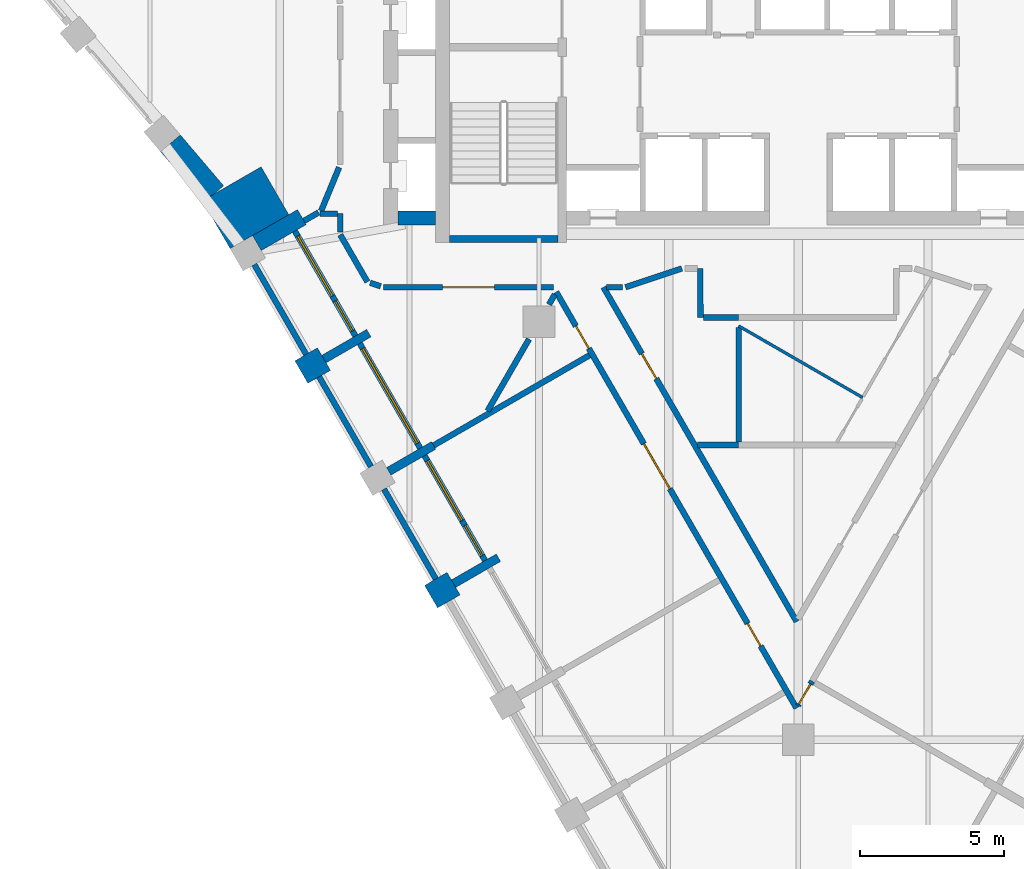
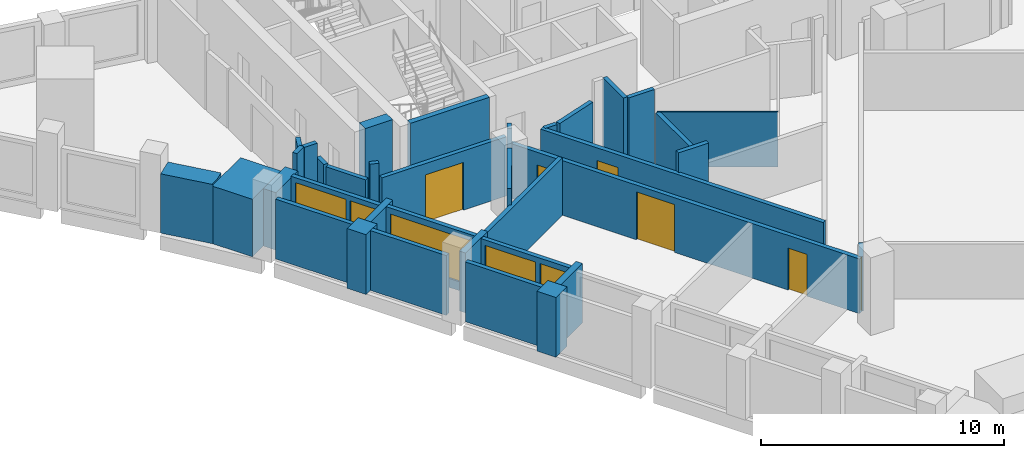
# One storey, part 3 of 9: 36 walls, 8 doors, 3 windows, 11 openings.
"""IFC4 building model written with IfcOpenShell, lengths in metres."""

from ifc_helpers import new_model, si_unit, direction, frame, frame_2d, origin, place, context, subcontext, project, spatial, polyline, rectangle, outline, extrude, material, layer, layer_set, type_object, element, fill, save


model = new_model("IFC4")

# Units and contexts
model_context = context("Model", 3, precision=1e-05, world=origin(), true_north=direction((0.0, 1.0)))
body_context = subcontext(model_context, "Body", "Model", "MODEL_VIEW")
ifc_project = project(units=[si_unit("LENGTHUNIT", "METRE"), si_unit("AREAUNIT", "SQUARE_METRE"), si_unit("VOLUMEUNIT", "CUBIC_METRE"), si_unit("PLANEANGLEUNIT", "RADIAN"), si_unit("MASSUNIT", "GRAM", prefix="KILO")], contexts=[model_context])

# Site, building, storey
site_placement = place(None, origin())
site = spatial("IfcSite", under=ifc_project, at=site_placement, CompositionType="ELEMENT")
building_placement = place(site_placement, origin())
building = spatial("IfcBuilding", under=site, at=building_placement, Name="Calabash Gate Tower", CompositionType="ELEMENT")
storey_placement = place(building_placement, frame((0.0, 0.0, 231.5)))
storey = spatial("IfcBuildingStorey", under=building, at=storey_placement, Name="L55", CompositionType="ELEMENT", Elevation=231.5)

# Walls
ifc_material_1 = material(Name="Terracotta brick masonry, exposed face", Category="masonry")
ifc_layer_1 = layer(ifc_material_1, 2.35009765625)
ifc_layer_set_1 = layer_set([ifc_layer_1], Name="Brick corner mass wall 2350")
wall_type_1 = type_object("IfcWallType", Name="Brick corner mass wall 2350", PredefinedType="SOLIDWALL", material=ifc_layer_set_1)
wall_1_placement = place(storey_placement, origin())
element("IfcWall", 1, at=wall_1_placement, inside=storey, type_object=wall_type_1, Name="Brick corner pier S16 1", PredefinedType="SOLIDWALL", context=body_context, shape_type="SweptSolid", body=[
    extrude(outline(polyline([(-18.942138671875, 5.492431640625), (-17.6865234375, 6.21728515625), (-18.6455078125, 7.878173828125), (-20.6806640625, 6.703125), (-19.7216796875, 5.042236328125), (-19.721435546875, 5.042236328125), (-19.7216796875, 5.042724609375), (-18.9423828125, 5.49267578125), (-18.942138671875, 5.492431640625)])), origin(), (0.0, 0.0, 1.0), 2.884033203125),
])
ifc_material_2 = material(Name="Terracotta brick masonry, exposed face", Category="masonry")
ifc_layer_2 = layer(ifc_material_2, 0.89990234375)
ifc_layer_set_2 = layer_set([ifc_layer_2], Name="Brick end wall 900")
wall_type_2 = type_object("IfcWallType", Name="Brick end wall 900", PredefinedType="SOLIDWALL", material=ifc_layer_set_2)
wall_2_placement = place(storey_placement, frame((-16.632080078125, 0.5908203125, 0.0), z_axis=(0.0, 0.0, 1.0), x_axis=(-0.50001992892, 0.866013897511, 0.0)))
element("IfcWall", 2, at=wall_2_placement, inside=storey, type_object=wall_type_2, Name="Brick pier S16 SW0.1", PredefinedType="SOLIDWALL", context=body_context, shape_type="SweptSolid", body=[
    extrude(rectangle(XDim=0.89990234375, YDim=0.89990234375, at=frame_2d((0.449951171875, 0.0))), origin(), (0.0, 0.0, 1.0), 3.0),
])
wall_3_placement = place(storey_placement, frame((-12.58203125, -6.424072265625, 0.0), z_axis=(0.0, 0.0, 1.0), x_axis=(0.499902469156, -0.866081705922, 0.0)))
element("IfcWall", 3, at=wall_3_placement, inside=storey, type_object=wall_type_2, Name="Brick pier S16 SW0.3", PredefinedType="SOLIDWALL", context=body_context, shape_type="SweptSolid", body=[
    extrude(rectangle(XDim=0.900146484375, YDim=0.89990234375, at=frame_2d((0.4501953125, 0.0))), origin(), (0.0, 0.0, 1.0), 3.0),
])
wall_4_placement = place(storey_placement, origin())
element("IfcWall", 4, at=wall_4_placement, inside=storey, type_object=wall_type_2, Name="Brick end wall S16 3", PredefinedType="SOLIDWALL", context=body_context, shape_type="SweptSolid", body=[
    extrude(outline(polyline([(-19.947998046875, 7.2197265625), (-21.44921875, 8.985595703125), (-22.135009765625, 8.402587890625), (-20.66015625, 6.667724609375), (-20.6806640625, 6.703125), (-20.291015625, 6.92822265625), (-19.947998046875, 7.2197265625)])), origin(), (0.0, 0.0, 1.0), 2.9736328125),
])
ifc_material_3 = material(Name="Terracotta brick masonry, exposed face", Category="masonry")
ifc_layer_3 = layer(ifc_material_3, 0.300048828125)
ifc_layer_set_3 = layer_set([ifc_layer_3], Name="Brick loggia cheek wall 300")
wall_type_3 = type_object("IfcWallType", Name="Brick loggia cheek wall 300", PredefinedType="SOLIDWALL", material=ifc_layer_set_3)
wall_5_placement = place(storey_placement, frame((-18.7919921875, 5.232666015625, 0.0), z_axis=(0.0, 0.0, 1.0), x_axis=(0.866013897511, 0.50001992892, 0.0)))
element("IfcWall", 5, at=wall_5_placement, inside=storey, type_object=wall_type_3, Name="Loggia cheek S16 SW0.0", PredefinedType="SOLIDWALL", context=body_context, shape_type="SweptSolid", body=[
    extrude(rectangle(XDim=1.7998046875, YDim=0.60009765625, at=frame_2d((0.89990234375, 0.0))), origin(), (0.0, 0.0, 1.0), 2.884033203125),
])
for number, where, z_axis, x_axis, name in (
    (6, (-16.46728515625, 1.205322265625, 0.0), (0.0, 0.0, 1.0), (0.865989075817, 0.500062916607, 0.0), "Loggia cheek S16 SW0.1"),
    (7, (-14.21728515625, -2.691650390625, 0.0), (0.0, 0.0, 1.0), (0.866047807691, 0.499961193289, 0.0), "Loggia cheek S16 SW0.2"),
):
    element("IfcWall", number, at=place(storey_placement, frame(where, z_axis=z_axis, x_axis=x_axis)), inside=storey, type_object=wall_type_3, Name=name, PredefinedType="SOLIDWALL", context=body_context, shape_type="SweptSolid", body=[
        extrude(rectangle(XDim=1.800048828125, YDim=0.300048828125, at=frame_2d((0.89990234375, 0.0))), origin(), (0.0, 0.0, 1.0), 3.0),
    ])
wall_6_placement = place(storey_placement, frame((-11.96728515625, -6.5888671875, 0.0), z_axis=(0.0, 0.0, 1.0), x_axis=(0.865989075817, 0.500062916607, 0.0)))
element("IfcWall", 8, at=wall_6_placement, inside=storey, type_object=wall_type_3, Name="Loggia cheek S16 SW0.3", PredefinedType="SOLIDWALL", context=body_context, shape_type="SweptSolid", body=[
    extrude(rectangle(XDim=1.800048828125, YDim=0.300048828125, at=frame_2d((0.89990234375, 0.0))), origin(), (0.0, 0.0, 1.0), 2.9736328125),
])
ifc_material_4 = material(Name="Concrete C70/85", Category="concrete")
ifc_layer_4 = layer(ifc_material_4, 0.25)
ifc_layer_set_4 = layer_set([ifc_layer_4], Name="Core wall 250 Concrete C70/85")
wall_type_4 = type_object("IfcWallType", Name="Core wall 250 Concrete C70/85", PredefinedType="SHEAR", material=ifc_layer_set_4)
wall_7_placement = place(storey_placement, frame((-12.10009765625, 5.377685546875, 0.0), z_axis=(0.0, 0.0, 1.0), x_axis=(1.0, 0.0, 0.0)))
element("IfcWall", 9, at=wall_7_placement, inside=storey, type_object=wall_type_4, Name="Core wall Z4-SSW L55", PredefinedType="SHEAR", context=body_context, shape_type="SweptSolid", body=[
    extrude(rectangle(XDim=3.75, YDim=0.25, at=frame_2d((1.875, 0.0))), origin(), (0.0, 0.0, 1.0), 3.89990234375),
])
ifc_material_5 = material(Name="Concrete C70/85", Category="concrete")
ifc_layer_5 = layer(ifc_material_5, 0.5)
ifc_layer_set_5 = layer_set([ifc_layer_5], Name="Core wall 500 Concrete C70/85")
wall_type_5 = type_object("IfcWallType", Name="Core wall 500 Concrete C70/85", PredefinedType="SHEAR", material=ifc_layer_set_5)
wall_8_placement = place(storey_placement, frame((-12.60009765625, 6.1025390625, 0.0), z_axis=(0.0, 0.0, 1.0), x_axis=(-1.0, 0.0, 0.0)))
element("IfcWall", 10, at=wall_8_placement, inside=storey, type_object=wall_type_5, Name="Core wall Z4-SW L55", PredefinedType="SHEAR", context=body_context, shape_type="SweptSolid", body=[
    extrude(rectangle(XDim=1.2998046875, YDim=0.5, at=frame_2d((0.64990234375, 0.0))), origin(), (0.0, 0.0, 1.0), 3.89990234375),
])
ifc_material_6 = material(Name="Gypsum board on steel studs, mineral wool", Category="steel")
ifc_layer_6 = layer(ifc_material_6, 0.10009765625)
ifc_layer_set_6 = layer_set([ifc_layer_6], Name="Partition 100 gypsum board")
wall_type_6 = type_object("IfcWallType", Name="Partition 100 gypsum board", PredefinedType="PARTITIONING", material=ifc_layer_set_6)
wall_9_placement = place(storey_placement, frame((-2.072998046875, 2.357421875, 0.0), z_axis=(0.0, 0.0, 1.0), x_axis=(0.865852787501, -0.500298861059, 0.0)))
element("IfcWall", 11, at=wall_9_placement, inside=storey, type_object=wall_type_6, Name="Partition", PredefinedType="PARTITIONING", context=body_context, shape_type="SweptSolid", body=[
    extrude(rectangle(XDim=4.9736328125, YDim=0.10009765625, at=frame_2d((2.48681640625, 0.0))), origin(), (0.0, 0.0, 1.0), 2.74169921875),
])

# Wall, openings, doors
ifc_material_7 = material(Name="Gypsum board on steel studs, mineral wool", Category="steel")
ifc_layer_7 = layer(ifc_material_7, 0.199951171875)
ifc_layer_set_7 = layer_set([ifc_layer_7], Name="Partition 200 gypsum board EI 60")
wall_type_7 = type_object("IfcWallType", Name="Partition 200 gypsum board EI 60", PredefinedType="PARTITIONING", material=ifc_layer_set_7)
wall_10_placement = place(storey_placement, frame((-8.403076171875, 3.533935546875, 0.0), z_axis=(0.0, 0.0, 1.0), x_axis=(0.499994899308, -0.86602834865, 0.0)))
wall_10 = element("IfcWall", 12, at=wall_10_placement, inside=storey, type_object=wall_type_7, Name="Partition", PredefinedType="PARTITIONING", context=body_context, shape_type="SweptSolid", body=[
    extrude(rectangle(XDim=16.677490234375, YDim=0.199951171875, at=frame_2d((8.3388671875, 0.0))), origin(), (0.0, 0.0, 1.0), 2.74169921875),
])
opening_1_placement = place(wall_10_placement, frame((6.08447265625, 0.0, 0.0)))
opening_1 = element("IfcOpeningElement", 13, at=opening_1_placement, cuts=wall_10, Name="Opening 55-57-001", PredefinedType="OPENING", context=body_context, shape_type="SweptSolid", body=[
    extrude(rectangle(XDim=1.800048828125, YDim=2.39990234375, at=frame_2d((0.89990234375, 1.199951171875))), frame((0.0, 0.10986328125, 0.0), z_axis=(0.0, -1.0, 0.0), x_axis=(1.0, 0.0, 0.0)), (0.0, 0.0, 1.0), 0.219970703125),
])
opening_2_placement = place(wall_10_placement, frame((13.28466796875, 0.0, 0.0)))
opening_2 = element("IfcOpeningElement", 14, at=opening_2_placement, cuts=wall_10, Name="Opening 55-57-002", PredefinedType="OPENING", context=body_context, shape_type="SweptSolid", body=[
    extrude(rectangle(XDim=0.89990234375, YDim=2.10009765625, at=frame_2d((0.449951171875, 1.050048828125))), frame((0.0, 0.10986328125, 0.0), z_axis=(0.0, -1.0, 0.0), x_axis=(1.0, 0.0, 0.0)), (0.0, 0.0, 1.0), 0.219970703125),
])
opening_3_placement = place(wall_10_placement, frame((1.364013671875, 0.0, 0.0)))
opening_3 = element("IfcOpeningElement", 15, at=opening_3_placement, cuts=wall_10, Name="Opening 55-57-007", PredefinedType="OPENING", context=body_context, shape_type="SweptSolid", body=[
    extrude(rectangle(XDim=0.89990234375, YDim=2.10009765625, at=frame_2d((0.449951171875, 1.050048828125))), frame((0.0, 0.10986328125, 0.0), z_axis=(0.0, -1.0, 0.0), x_axis=(1.0, 0.0, 0.0)), (0.0, 0.0, 1.0), 0.219970703125),
])
ifc_material_8 = material(Name="Painted timber door", Category="wood")
door_type_1 = type_object("IfcDoorType", Name="OD1 Office door 900x2100", OperationType="NOTDEFINED", PredefinedType="DOOR", material=ifc_material_8)
door_1_placement = place(opening_2_placement, origin())
door_1 = element("IfcDoor", 16, at=door_1_placement, inside=storey, type_object=door_type_1, Name="Office door", OperationType="SINGLE_SWING_LEFT", OverallHeight=2.10009765625, OverallWidth=0.89990234375, PredefinedType="DOOR", context=body_context, shape_type="SweptSolid", body=[
    extrude(rectangle(XDim=0.89990234375, YDim=2.10009765625, at=frame_2d((0.449951171875, 1.050048828125))), frame((0.0, 0.02490234375, 0.0), z_axis=(0.0, -1.0, 0.0), x_axis=(1.0, 0.0, 0.0)), (0.0, 0.0, 1.0), 0.050048828125),
])
fill(opening_2, door_1)
ifc_material_9 = material(Name="Steel fire door set with fire-resisting glazing", Category="steel")
door_type_2 = type_object("IfcDoorType", Name="SD1 Service room door 900x2100", OperationType="NOTDEFINED", PredefinedType="DOOR", material=ifc_material_9)
door_2_placement = place(opening_3_placement, origin())
door_2 = element("IfcDoor", 17, at=door_2_placement, inside=storey, type_object=door_type_2, Name="Service room door", OperationType="SINGLE_SWING_RIGHT", OverallHeight=2.10009765625, OverallWidth=0.89990234375, PredefinedType="DOOR", context=body_context, shape_type="SweptSolid", body=[
    extrude(rectangle(XDim=0.89990234375, YDim=2.10009765625, at=frame_2d((0.449951171875, 1.050048828125))), frame((0.0, 0.02490234375, 0.0), z_axis=(0.0, -1.0, 0.0), x_axis=(1.0, 0.0, 0.0)), (0.0, 0.0, 1.0), 0.050048828125),
])
fill(opening_3, door_2)
ifc_material_10 = material(Name="Steel fire door set with fire-resisting glazing", Category="steel")
door_type_3 = type_object("IfcDoorType", Name="TD1 Tenancy entrance double door 1800x2400", OperationType="NOTDEFINED", PredefinedType="DOOR", material=ifc_material_10)
door_3_placement = place(opening_1_placement, origin())
door_3 = element("IfcDoor", 18, at=door_3_placement, inside=storey, type_object=door_type_3, Name="Tenancy entrance double door", OperationType="DOUBLE_DOOR_SINGLE_SWING", OverallHeight=2.39990234375, OverallWidth=1.800048828125, PredefinedType="DOOR", context=body_context, shape_type="SweptSolid", body=[
    extrude(rectangle(XDim=1.800048828125, YDim=2.39990234375, at=frame_2d((0.89990234375, 1.199951171875))), frame((0.0, 0.02490234375, 0.0), z_axis=(0.0, -1.0, 0.0), x_axis=(1.0, 0.0, 0.0)), (0.0, 0.0, 1.0), 0.050048828125),
])
fill(opening_1, door_3)

# Wall, opening, door
wall_11_placement = place(storey_placement, frame((-0.01220703125, -10.821533203125, 0.0), z_axis=(0.0, 0.0, 1.0), x_axis=(0.501271486133, 0.865290065348, 0.0)))
wall_11 = element("IfcWall", 19, at=wall_11_placement, inside=storey, type_object=wall_type_7, Name="Partition", PredefinedType="PARTITIONING", context=body_context, shape_type="SweptSolid", body=[
    extrude(rectangle(XDim=0.98193359375, YDim=0.199951171875, at=frame_2d((0.490966796875, 0.0))), origin(), (0.0, 0.0, 1.0), 2.74169921875),
])
opening_4_placement = place(wall_11_placement, frame((0.06201171875, 0.0, 0.0)))
opening_4 = element("IfcOpeningElement", 20, at=opening_4_placement, cuts=wall_11, Name="Opening 55-57-011", PredefinedType="OPENING", context=body_context, shape_type="SweptSolid", body=[
    extrude(rectangle(XDim=0.800048828125, YDim=2.10009765625, at=frame_2d((0.39990234375, 1.050048828125))), frame((0.0, 0.10986328125, 0.0), z_axis=(0.0, -1.0, 0.0), x_axis=(1.0, 0.0, 0.0)), (0.0, 0.0, 1.0), 0.219970703125),
])
ifc_material_11 = material(Name="Steel fire door set with fire-resisting glazing", Category="steel")
door_type_4 = type_object("IfcDoorType", Name="SD2 Riser access door 800x2100", OperationType="NOTDEFINED", PredefinedType="DOOR", material=ifc_material_11)
door_4_placement = place(opening_4_placement, origin())
door_4 = element("IfcDoor", 21, at=door_4_placement, inside=storey, type_object=door_type_4, Name="Riser access door", OperationType="SINGLE_SWING_RIGHT", OverallHeight=2.10009765625, OverallWidth=0.800048828125, PredefinedType="DOOR", context=body_context, shape_type="SweptSolid", body=[
    extrude(rectangle(XDim=0.800048828125, YDim=2.10009765625, at=frame_2d((0.39990234375, 1.050048828125))), frame((0.0, 0.02490234375, 0.0), z_axis=(0.0, -1.0, 0.0), x_axis=(1.0, 0.0, 0.0)), (0.0, 0.0, 1.0), 0.050048828125),
])
fill(opening_4, door_4)

# Walls
wall_12_placement = place(storey_placement, frame((-12.65869140625, -1.791259765625, 0.0), z_axis=(0.0, 0.0, 1.0), x_axis=(0.865661558062, 0.500629670408, 0.0)))
element("IfcWall", 22, at=wall_12_placement, inside=storey, type_object=wall_type_7, Name="Partition", PredefinedType="PARTITIONING", context=body_context, shape_type="SweptSolid", body=[
    extrude(rectangle(XDim=6.24951171875, YDim=0.199951171875, at=frame_2d((3.124755859375, 0.0))), origin(), (0.0, 0.0, 1.0), 2.884033203125),
])
wall_13_placement = place(storey_placement, frame((-3.49853515625, -1.779541015625, 0.0), z_axis=(0.0, 0.0, 1.0), x_axis=(0.999999471866, 0.001027748686, 0.0)))
element("IfcWall", 23, at=wall_13_placement, inside=storey, type_object=wall_type_7, Name="Partition", PredefinedType="PARTITIONING", context=body_context, shape_type="SweptSolid", body=[
    extrude(rectangle(XDim=1.42529296875, YDim=0.199951171875, at=frame_2d((0.712646484375, 0.0))), origin(), (0.0, 0.0, 1.0), 3.72998046875),
])
wall_14_placement = place(storey_placement, frame((-10.787353515625, -0.593505859375, 0.0), z_axis=(0.0, 0.0, 1.0), x_axis=(0.500287485194, 0.865859360496, 0.0)))
element("IfcWall", 24, at=wall_14_placement, inside=storey, type_object=wall_type_7, Name="Partition", PredefinedType="PARTITIONING", context=body_context, shape_type="SweptSolid", body=[
    extrude(rectangle(XDim=2.879638671875, YDim=0.199951171875, at=frame_2d((1.43994140625, 0.0))), origin(), (0.0, 0.0, 1.0), 3.72998046875),
])
wall_15_placement = place(storey_placement, frame((-2.0712890625, -1.676025390625, 0.0), z_axis=(0.0, 0.0, 1.0), x_axis=(0.0, 1.0, 0.0)))
element("IfcWall", 25, at=wall_15_placement, inside=storey, type_object=wall_type_7, Name="Partition", PredefinedType="PARTITIONING", context=body_context, shape_type="SweptSolid", body=[
    extrude(rectangle(XDim=3.974609375, YDim=0.199951171875, at=frame_2d((1.9873046875, 0.0))), origin(), (0.0, 0.0, 1.0), 2.74169921875),
])
wall_16_placement = place(storey_placement, frame((-3.402099609375, 4.3505859375, 0.0), z_axis=(0.0, 0.0, 1.0), x_axis=(0.001150085496, -0.999999338651, 0.0)))
element("IfcWall", 26, at=wall_16_placement, inside=storey, type_object=wall_type_7, Name="Partition", PredefinedType="PARTITIONING", context=body_context, shape_type="SweptSolid", body=[
    extrude(rectangle(XDim=1.6982421875, YDim=0.199951171875, at=frame_2d((0.84912109375, 0.0))), origin(), (0.0, 0.0, 1.0), 3.72998046875),
])
wall_17_placement = place(storey_placement, frame((-3.30029296875, 2.65234375, 0.0), z_axis=(0.0, 0.0, 1.0), x_axis=(0.999999030114, -0.001392756309, 0.0)))
element("IfcWall", 27, at=wall_17_placement, inside=storey, type_object=wall_type_7, Name="Partition", PredefinedType="PARTITIONING", context=body_context, shape_type="SweptSolid", body=[
    extrude(rectangle(XDim=1.22705078125, YDim=0.199951171875, at=frame_2d((0.613525390625, 0.0))), origin(), (0.0, 0.0, 1.0), 3.72998046875),
])
wall_18_placement = place(storey_placement, frame((-8.65380859375, 3.10009765625, 0.0), z_axis=(0.0, 0.0, 1.0), x_axis=(0.497766425922, 0.86731112366, 0.0)))
element("IfcWall", 28, at=wall_18_placement, inside=storey, type_object=wall_type_7, Name="Partition", PredefinedType="PARTITIONING", context=body_context, shape_type="SweptSolid", body=[
    extrude(rectangle(XDim=0.403564453125, YDim=0.199951171875, at=frame_2d((0.20166015625, 0.0))), origin(), (0.0, 0.0, 1.0), 3.72998046875),
])

# Wall, opening, door
wall_19_placement = place(storey_placement, frame((-14.400146484375, 3.699462890625, 0.0), z_axis=(0.0, 0.0, 1.0), x_axis=(1.0, 0.0, 0.0)))
wall_19 = element("IfcWall", 29, at=wall_19_placement, inside=storey, type_object=wall_type_7, Name="Partition", PredefinedType="PARTITIONING", context=body_context, shape_type="SweptSolid", body=[
    extrude(rectangle(XDim=5.903076171875, YDim=0.199951171875, at=frame_2d((2.95166015625, 0.0))), origin(), (0.0, 0.0, 1.0), 2.9736328125),
])
opening_5_placement = place(wall_19_placement, frame((2.0517578125, 0.0, 0.0)))
opening_5 = element("IfcOpeningElement", 30, at=opening_5_placement, cuts=wall_19, Name="Opening 55-57-008", PredefinedType="OPENING", context=body_context, shape_type="SweptSolid", body=[
    extrude(rectangle(XDim=1.800048828125, YDim=2.39990234375, at=frame_2d((0.89990234375, 1.199951171875))), frame((0.0, 0.10986328125, 0.0), z_axis=(0.0, -1.0, 0.0), x_axis=(1.0, 0.0, 0.0)), (0.0, 0.0, 1.0), 0.219970703125),
])
ifc_material_12 = material(Name="Steel fire door set with fire-resisting glazing", Category="steel")
door_type_5 = type_object("IfcDoorType", Name="OD5 Open office double door 1800x2400", OperationType="NOTDEFINED", PredefinedType="DOOR", material=ifc_material_12)
door_5_placement = place(opening_5_placement, origin())
door_5 = element("IfcDoor", 31, at=door_5_placement, inside=storey, type_object=door_type_5, Name="Open office double door", OperationType="DOUBLE_DOOR_SINGLE_SWING", OverallHeight=2.39990234375, OverallWidth=1.800048828125, PredefinedType="DOOR", context=body_context, shape_type="SweptSolid", body=[
    extrude(rectangle(XDim=1.800048828125, YDim=2.39990234375, at=frame_2d((0.89990234375, 1.199951171875))), frame((0.0, 0.02490234375, 0.0), z_axis=(0.0, -1.0, 0.0), x_axis=(1.0, 0.0, 0.0)), (0.0, 0.0, 1.0), 0.050048828125),
])
fill(opening_5, door_5)

wall_20_placement = place(storey_placement, frame((-6.764404296875, 3.69970703125, 0.0), z_axis=(0.0, 0.0, 1.0), x_axis=(0.500260603275, -0.865874892124, 0.0)))
wall_20 = element("IfcWall", 32, at=wall_20_placement, inside=storey, type_object=wall_type_7, Name="Partition", PredefinedType="PARTITIONING", context=body_context, shape_type="SweptSolid", body=[
    extrude(rectangle(XDim=13.403076171875, YDim=0.199951171875, at=frame_2d((6.70166015625, 0.0))), origin(), (0.0, 0.0, 1.0), 2.74169921875),
])
opening_6_placement = place(wall_20_placement, frame((2.66259765625, 0.0, 0.0)))
opening_6 = element("IfcOpeningElement", 33, at=opening_6_placement, cuts=wall_20, Name="Opening 55-57-004", PredefinedType="OPENING", context=body_context, shape_type="SweptSolid", body=[
    extrude(rectangle(XDim=1.0, YDim=2.10009765625, at=frame_2d((0.5, 1.050048828125))), frame((0.0, 0.10986328125, 0.0), z_axis=(0.0, -1.0, 0.0), x_axis=(1.0, 0.0, 0.0)), (0.0, 0.0, 1.0), 0.219970703125),
])
ifc_material_13 = material(Name="Steel fire door set with fire-resisting glazing", Category="steel")
door_type_6 = type_object("IfcDoorType", Name="VD1 Vault door 1000x2100", OperationType="NOTDEFINED", PredefinedType="DOOR", material=ifc_material_13)
door_6_placement = place(opening_6_placement, origin())
door_6 = element("IfcDoor", 34, at=door_6_placement, inside=storey, type_object=door_type_6, Name="Vault door", OperationType="SINGLE_SWING_LEFT", OverallHeight=2.10009765625, OverallWidth=1.0, PredefinedType="DOOR", context=body_context, shape_type="SweptSolid", body=[
    extrude(rectangle(XDim=1.0, YDim=2.10009765625, at=frame_2d((0.5, 1.050048828125))), frame((0.0, 0.02490234375, 0.0), z_axis=(0.0, -1.0, 0.0), x_axis=(1.0, 0.0, 0.0)), (0.0, 0.0, 1.0), 0.050048828125),
])
fill(opening_6, door_6)

# Walls
wall_21_placement = place(storey_placement, frame((-6.664306640625, 3.69970703125, 0.0), z_axis=(0.0, 0.0, 1.0), x_axis=(1.0, 0.0, 0.0)))
element("IfcWall", 35, at=wall_21_placement, inside=storey, type_object=wall_type_7, Name="Partition", PredefinedType="PARTITIONING", context=body_context, shape_type="SweptSolid", body=[
    extrude(rectangle(XDim=0.564208984375, YDim=0.199951171875, at=frame_2d((0.2822265625, 0.0))), origin(), (0.0, 0.0, 1.0), 2.74169921875),
])
wall_22_placement = place(storey_placement, frame((-14.85986328125, 3.852783203125, 0.0), z_axis=(0.0, 0.0, 1.0), x_axis=(0.948683298051, -0.316227766017, 0.0)))
element("IfcWall", 36, at=wall_22_placement, inside=storey, type_object=wall_type_7, Name="Partition", PredefinedType="PARTITIONING", context=body_context, shape_type="SweptSolid", body=[
    extrude(rectangle(XDim=0.384521484375, YDim=0.199951171875, at=frame_2d((0.1923828125, 0.0))), origin(), (0.0, 0.0, 1.0), 3.72998046875),
])
wall_23_placement = place(storey_placement, frame((-15.900390625, 5.522705078125, 0.0), z_axis=(0.0, 0.0, 1.0), x_axis=(0.499998034377, -0.866026538634, 0.0)))
element("IfcWall", 37, at=wall_23_placement, inside=storey, type_object=wall_type_7, Name="Partition", PredefinedType="PARTITIONING", context=body_context, shape_type="SweptSolid", body=[
    extrude(rectangle(XDim=1.8916015625, YDim=0.199951171875, at=frame_2d((0.94580078125, 0.0))), origin(), (0.0, 0.0, 1.0), 2.9501953125),
])
wall_24_placement = place(storey_placement, frame((-6.0, 3.69970703125, 0.0), z_axis=(0.0, 0.0, 1.0), x_axis=(0.948683298051, 0.316227766017, 0.0)))
element("IfcWall", 38, at=wall_24_placement, inside=storey, type_object=wall_type_7, Name="Partition", PredefinedType="PARTITIONING", context=body_context, shape_type="SweptSolid", body=[
    extrude(rectangle(XDim=2.063720703125, YDim=0.199951171875, at=frame_2d((1.03173828125, 0.0))), origin(), (0.0, 0.0, 1.0), 2.74169921875),
])
wall_25_placement = place(storey_placement, frame((-15.900390625, 6.252197265625, 0.0), z_axis=(0.0, 0.0, 1.0), x_axis=(0.0, -1.0, 0.0)))
element("IfcWall", 39, at=wall_25_placement, inside=storey, type_object=wall_type_7, Name="Partition", PredefinedType="PARTITIONING", context=body_context, shape_type="SweptSolid", body=[
    extrude(rectangle(XDim=0.62939453125, YDim=0.199951171875, at=frame_2d((0.314697265625, 0.0))), origin(), (0.0, 0.0, 1.0), 2.9736328125),
])
wall_26_placement = place(storey_placement, frame((-16.6005859375, 6.252685546875, 0.0), z_axis=(0.0, 0.0, 1.0), x_axis=(0.999999668971, -0.000813669381, 0.0)))
element("IfcWall", 40, at=wall_26_placement, inside=storey, type_object=wall_type_7, Name="Partition", PredefinedType="PARTITIONING", context=body_context, shape_type="SweptSolid", body=[
    extrude(rectangle(XDim=0.60009765625, YDim=0.199951171875, at=frame_2d((0.300048828125, 0.0))), origin(), (0.0, 0.0, 1.0), 3.72998046875),
])
wall_27_placement = place(storey_placement, frame((-17.158203125, 6.00244140625, 0.0), z_axis=(0.0, 0.0, 1.0), x_axis=(0.867396234464, 0.497618098985, 0.0)))
element("IfcWall", 41, at=wall_27_placement, inside=storey, type_object=wall_type_7, Name="Partition", PredefinedType="PARTITIONING", context=body_context, shape_type="SweptSolid", body=[
    extrude(rectangle(XDim=0.586181640625, YDim=0.199951171875, at=frame_2d((0.29296875, 0.0))), origin(), (0.0, 0.0, 1.0), 3.72998046875),
])
wall_28_placement = place(storey_placement, frame((-16.563720703125, 6.345947265625, 0.0), z_axis=(0.0, 0.0, 1.0), x_axis=(0.381544254575, 0.924350572998, 0.0)))
element("IfcWall", 42, at=wall_28_placement, inside=storey, type_object=wall_type_7, Name="Partition", PredefinedType="PARTITIONING", context=body_context, shape_type="SweptSolid", body=[
    extrude(rectangle(XDim=1.63818359375, YDim=0.199951171875, at=frame_2d((0.819091796875, 0.0))), origin(), (0.0, 0.0, 1.0), 2.9736328125),
])
ifc_material_14 = material(Name="Terracotta brick masonry, perforated", Category="masonry")
ifc_layer_8 = layer(ifc_material_14, 0.199951171875)
ifc_layer_set_8 = layer_set([ifc_layer_8], Name="Terracotta jaali screen B")
wall_type_8 = type_object("IfcWallType", Name="Terracotta jaali screen B", PredefinedType="SOLIDWALL", material=ifc_layer_set_8)
for number, where, z_axis, x_axis, name in (
    (43, (-18.882080078125, 4.48779296875, 0.0), (0.0, 0.0, 1.0), (0.500012057535, -0.866018442252, 0.0), "SCREEN B S16 SW0.1"),
    (44, (-16.632080078125, 0.5908203125, 0.0), (0.0, 0.0, 1.0), (0.500012057535, -0.866018442252, 0.0), "SCREEN B S16 SW0.2"),
    (45, (-14.382080078125, -3.306396484375, 0.0), (0.0, 0.0, 1.0), (0.500012057535, -0.866018442252, 0.0), "SCREEN B S16 SW0.3"),
):
    element("IfcWall", number, at=place(storey_placement, frame(where, z_axis=z_axis, x_axis=x_axis)), inside=storey, type_object=wall_type_8, Name=name, PredefinedType="SOLIDWALL", context=body_context, shape_type="SweptSolid", body=[
        extrude(rectangle(XDim=3.60009765625, YDim=0.199951171875, at=frame_2d((1.800048828125, 0.0))), origin(), (0.0, 0.0, 1.0), 3.0),
    ])

# Wall, openings, door, window
ifc_material_15 = material(Name="Aluminium framed window wall with insulated spandrel", Category="aluminium")
ifc_layer_9 = layer(ifc_material_15, 0.199951171875)
ifc_layer_set_9 = layer_set([ifc_layer_9], Name="Window wall 200")
wall_type_9 = type_object("IfcWallType", Name="Window wall 200", PredefinedType="ELEMENTEDWALL", material=ifc_layer_set_9)
wall_29_placement = place(storey_placement, frame((-17.47314453125, 5.647705078125, 0.0), z_axis=(0.0, 0.0, 1.0), x_axis=(0.500002543286, -0.866023935413, 0.0)))
wall_29 = element("IfcWall", 46, at=wall_29_placement, inside=storey, type_object=wall_type_9, Name="Window wall S16 SW0.1", PredefinedType="ELEMENTEDWALL", context=body_context, shape_type="SweptSolid", body=[
    extrude(rectangle(XDim=4.2001953125, YDim=0.199951171875, at=frame_2d((2.10009765625, 0.0))), origin(), (0.0, 0.0, 1.0), 2.9501953125),
])
opening_7_placement = place(wall_29_placement, frame((0.199951171875, 0.0, 0.449951171875)))
opening_7 = element("IfcOpeningElement", 47, at=opening_7_placement, cuts=wall_29, Name="Opening OW1", PredefinedType="OPENING", context=body_context, shape_type="SweptSolid", body=[
    extrude(rectangle(XDim=2.39990234375, YDim=2.25, at=frame_2d((1.199951171875, 1.125))), frame((0.0, 0.10986328125, 0.0), z_axis=(0.0, -1.0, 0.0), x_axis=(1.0, 0.0, 0.0)), (0.0, 0.0, 1.0), 0.219970703125),
])
opening_8_placement = place(wall_29_placement, frame((2.800048828125, 0.0, 0.0)))
opening_8 = element("IfcOpeningElement", 48, at=opening_8_placement, cuts=wall_29, Name="Opening O8-026", PredefinedType="OPENING", context=body_context, shape_type="SweptSolid", body=[
    extrude(rectangle(XDim=1.199951171875, YDim=2.699951171875, at=frame_2d((0.60009765625, 1.35009765625))), frame((0.0, 0.10986328125, 0.0), z_axis=(0.0, -1.0, 0.0), x_axis=(1.0, 0.0, 0.0)), (0.0, 0.0, 1.0), 0.219970703125),
])
ifc_material_16 = material(Name="Anodised aluminium frame, bronze finish, impact-rated laminated clear glazing", Category="aluminium")
door_type_7 = type_object("IfcDoorType", Name="Loggia door DO1 1200x2700", OperationType="SLIDING_TO_LEFT", PredefinedType="DOOR", material=ifc_material_16)
door_7_placement = place(opening_8_placement, origin())
door_7 = element("IfcDoor", 49, at=door_7_placement, inside=storey, type_object=door_type_7, Name="Loggia door S16 SW0.1", OperationType="SINGLE_SWING_LEFT", OverallHeight=2.699951171875, OverallWidth=1.199951171875, PredefinedType="DOOR", context=body_context, shape_type="SweptSolid", body=[
    extrude(rectangle(XDim=1.199951171875, YDim=2.699951171875, at=frame_2d((0.60009765625, 1.35009765625))), frame((0.0, 0.02490234375, 0.0), z_axis=(0.0, -1.0, 0.0), x_axis=(1.0, 0.0, 0.0)), (0.0, 0.0, 1.0), 0.050048828125),
])
fill(opening_8, door_7)
ifc_material_17 = material(Name="Anodised aluminium frame, bronze finish, impact-rated laminated clear glazing", Category="aluminium")
window_type_1 = type_object("IfcWindowType", Name="Window OW1 2400x2250", PartitioningType="DOUBLE_PANEL_VERTICAL", PredefinedType="WINDOW", material=ifc_material_17)
window_1_placement = place(opening_7_placement, origin())
window_1 = element("IfcWindow", 50, at=window_1_placement, inside=storey, type_object=window_type_1, Name="Window OW1 S16 SW0.1", OverallHeight=2.25, OverallWidth=2.39990234375, PartitioningType="SINGLE_PANEL", PredefinedType="WINDOW", context=body_context, shape_type="SweptSolid", body=[
    extrude(rectangle(XDim=2.39990234375, YDim=2.25, at=frame_2d((1.199951171875, 1.125))), frame((0.0, 0.030029296875, 0.0), z_axis=(0.0, -1.0, 0.0), x_axis=(1.0, 0.0, 0.0)), (0.0, 0.0, 1.0), 0.06005859375),
])
fill(opening_7, window_1)

# Wall, opening, window
wall_30_placement = place(storey_placement, frame((-15.22314453125, 1.75048828125, 0.0), z_axis=(0.0, 0.0, 1.0), x_axis=(0.500027713859, -0.866009402589, 0.0)))
wall_30 = element("IfcWall", 51, at=wall_30_placement, inside=storey, type_object=wall_type_9, Name="Window wall S16 SW0.2", PredefinedType="ELEMENTEDWALL", context=body_context, shape_type="SweptSolid", body=[
    extrude(rectangle(XDim=4.199951171875, YDim=0.199951171875, at=frame_2d((2.10009765625, 0.0))), origin(), (0.0, 0.0, 1.0), 3.0),
])
opening_9_placement = place(wall_30_placement, frame((0.199951171875, 0.0, 0.449951171875)))
opening_9 = element("IfcOpeningElement", 52, at=opening_9_placement, cuts=wall_30, Name="Opening OW2", PredefinedType="OPENING", context=body_context, shape_type="SweptSolid", body=[
    extrude(rectangle(XDim=3.800048828125, YDim=2.25, at=frame_2d((1.89990234375, 1.125))), frame((0.0, 0.10986328125, 0.0), z_axis=(0.0, -1.0, 0.0), x_axis=(1.0, 0.0, 0.0)), (0.0, 0.0, 1.0), 0.219970703125),
])
ifc_material_18 = material(Name="Anodised aluminium frame, bronze finish, impact-rated laminated clear glazing", Category="aluminium")
window_type_2 = type_object("IfcWindowType", Name="Window OW2 3800x2250", PartitioningType="TRIPLE_PANEL_VERTICAL", PredefinedType="WINDOW", material=ifc_material_18)
window_2_placement = place(opening_9_placement, origin())
window_2 = element("IfcWindow", 53, at=window_2_placement, inside=storey, type_object=window_type_2, Name="Window OW2 S16 SW0.2", OverallHeight=2.25, OverallWidth=3.800048828125, PartitioningType="SINGLE_PANEL", PredefinedType="WINDOW", context=body_context, shape_type="SweptSolid", body=[
    extrude(rectangle(XDim=3.800048828125, YDim=2.25, at=frame_2d((1.89990234375, 1.125))), frame((0.0, 0.030029296875, 0.0), z_axis=(0.0, -1.0, 0.0), x_axis=(1.0, 0.0, 0.0)), (0.0, 0.0, 1.0), 0.06005859375),
])
fill(opening_9, window_2)

# Wall, openings, door, window
wall_31_placement = place(storey_placement, frame((-12.97314453125, -2.146484375, 0.0), z_axis=(0.0, 0.0, 1.0), x_axis=(0.500002543286, -0.866023935413, 0.0)))
wall_31 = element("IfcWall", 54, at=wall_31_placement, inside=storey, type_object=wall_type_9, Name="Window wall S16 SW0.3", PredefinedType="ELEMENTEDWALL", context=body_context, shape_type="SweptSolid", body=[
    extrude(rectangle(XDim=4.2001953125, YDim=0.199951171875, at=frame_2d((2.10009765625, 0.0))), origin(), (0.0, 0.0, 1.0), 2.9736328125),
])
opening_10_placement = place(wall_31_placement, frame((0.199951171875, 0.0, 0.449951171875)))
opening_10 = element("IfcOpeningElement", 55, at=opening_10_placement, cuts=wall_31, Name="Opening OW1", PredefinedType="OPENING", context=body_context, shape_type="SweptSolid", body=[
    extrude(rectangle(XDim=2.39990234375, YDim=2.25, at=frame_2d((1.199951171875, 1.125))), frame((0.0, 0.10986328125, 0.0), z_axis=(0.0, -1.0, 0.0), x_axis=(1.0, 0.0, 0.0)), (0.0, 0.0, 1.0), 0.219970703125),
])
opening_11_placement = place(wall_31_placement, frame((2.800048828125, 0.0, 0.0)))
opening_11 = element("IfcOpeningElement", 56, at=opening_11_placement, cuts=wall_31, Name="Opening O8-027", PredefinedType="OPENING", context=body_context, shape_type="SweptSolid", body=[
    extrude(rectangle(XDim=1.199951171875, YDim=2.699951171875, at=frame_2d((0.60009765625, 1.35009765625))), frame((0.0, 0.10986328125, 0.0), z_axis=(0.0, -1.0, 0.0), x_axis=(1.0, 0.0, 0.0)), (0.0, 0.0, 1.0), 0.219970703125),
])
door_8_placement = place(opening_11_placement, origin())
door_8 = element("IfcDoor", 57, at=door_8_placement, inside=storey, type_object=door_type_7, Name="Loggia door S16 SW0.3", OperationType="SINGLE_SWING_LEFT", OverallHeight=2.699951171875, OverallWidth=1.199951171875, PredefinedType="DOOR", context=body_context, shape_type="SweptSolid", body=[
    extrude(rectangle(XDim=1.199951171875, YDim=2.699951171875, at=frame_2d((0.60009765625, 1.35009765625))), frame((0.0, 0.02490234375, 0.0), z_axis=(0.0, -1.0, 0.0), x_axis=(1.0, 0.0, 0.0)), (0.0, 0.0, 1.0), 0.050048828125),
])
fill(opening_11, door_8)
window_3_placement = place(opening_10_placement, origin())
window_3 = element("IfcWindow", 58, at=window_3_placement, inside=storey, type_object=window_type_1, Name="Window OW1 S16 SW0.3", OverallHeight=2.25, OverallWidth=2.39990234375, PartitioningType="SINGLE_PANEL", PredefinedType="WINDOW", context=body_context, shape_type="SweptSolid", body=[
    extrude(rectangle(XDim=2.39990234375, YDim=2.25, at=frame_2d((1.199951171875, 1.125))), frame((0.0, 0.030029296875, 0.0), z_axis=(0.0, -1.0, 0.0), x_axis=(1.0, 0.0, 0.0)), (0.0, 0.0, 1.0), 0.06005859375),
])
fill(opening_10, window_3)

save(model, "model.ifc")
